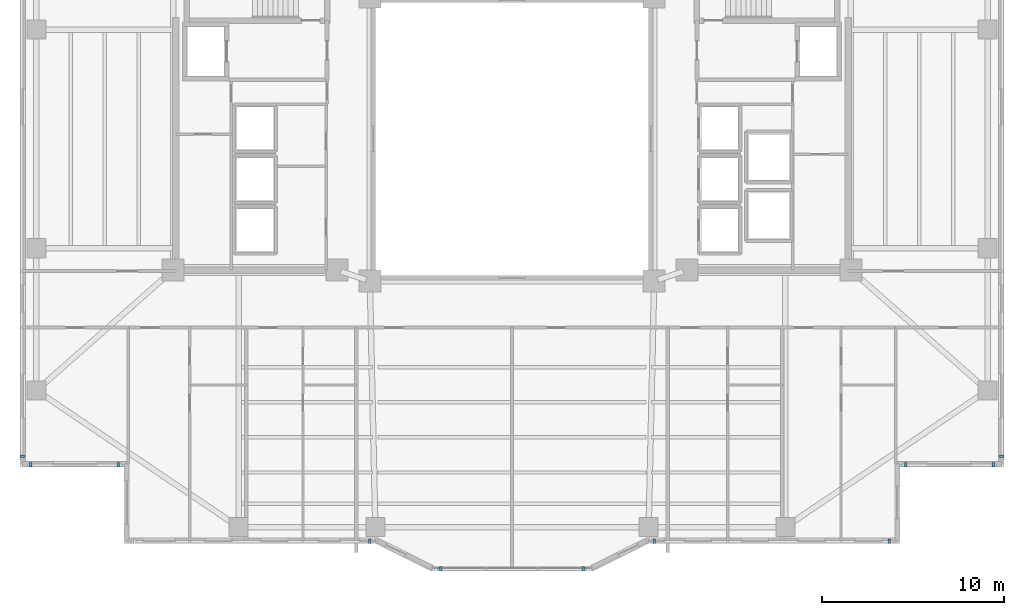
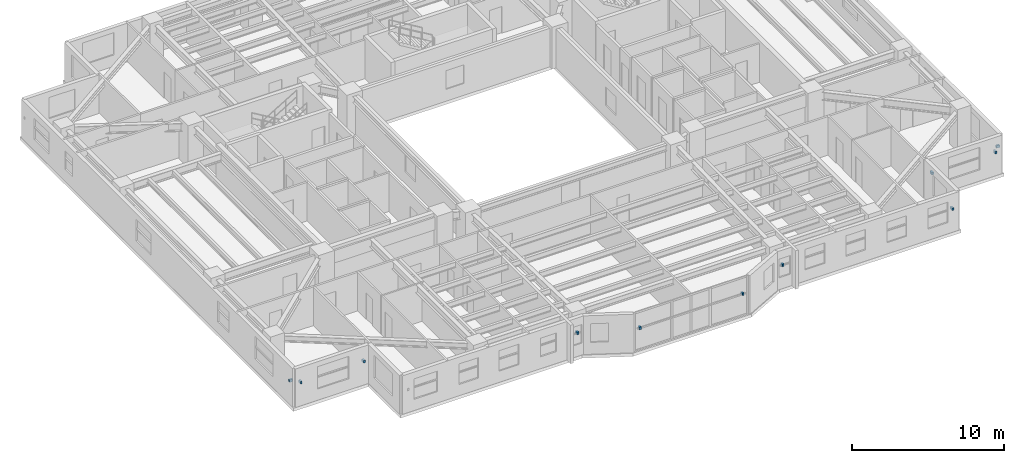
# One storey, part 12 of 18: 11 discrete accessories.
"""IFC4 building model written with IfcOpenShell, lengths in metres."""

from ifc_helpers import new_model, si_unit, direction, frame, origin, origin_2d, place, context, subcontext, project, spatial, rectangle, extrude, material, type_object, element, save


model = new_model("IFC4")

# Units and contexts
model_context = context("Model", 3, precision=1e-05, world=origin(), true_north=direction((0.0, 1.0)))
body_context = subcontext(model_context, "Body", "Model", "MODEL_VIEW")
ifc_project = project(units=[si_unit("LENGTHUNIT", "METRE"), si_unit("AREAUNIT", "SQUARE_METRE"), si_unit("VOLUMEUNIT", "CUBIC_METRE"), si_unit("PLANEANGLEUNIT", "RADIAN"), si_unit("MASSUNIT", "GRAM", prefix="KILO")], contexts=[model_context])

# Site, building, storey
site_placement = place(None, origin())
site = spatial("IfcSite", under=ifc_project, at=site_placement, CompositionType="ELEMENT")
building_placement = place(site_placement, origin())
building = spatial("IfcBuilding", under=site, at=building_placement, Name="Tarnavaz Court Tower", CompositionType="ELEMENT")
storey_placement = place(building_placement, frame((0.0, 0.0, 98.39990234375)))
storey = spatial("IfcBuildingStorey", under=building, at=storey_placement, Name="L26", CompositionType="ELEMENT", Elevation=98.39990234375)

# Discrete accessories
ifc_material = material(Name="Anodised Aluminium 6063-T6", Category="aluminium")
discrete_accessory_type = type_object("IfcDiscreteAccessoryType", Name="DA-BRKT-ALU", PredefinedType="BRACKET", material=ifc_material)
for number, where, z_axis, x_axis, name in (
    (1, (-21.60009765625, -17.8701171875, 1.75), (0.0, 0.0, 1.0), (-1.0, 0.0, 0.0), "L26 Baguette Outrigger Bracket FBG01-1"),
    (2, (-26.39990234375, -17.8701171875, 1.75), (0.0, 0.0, 1.0), (-1.0, 0.0, 0.0), "L26 Baguette Outrigger Bracket FBG01-2"),
    (3, (-26.8701171875, -17.39990234375, 1.75), (0.0, 0.0, 1.0), (0.0, 1.0, 0.0), "L26 Baguette Outrigger Bracket FBG02-1"),
    (4, (26.8701171875, -17.39990234375, 1.75), (0.0, 0.0, 1.0), (0.0, -1.0, 0.0), "L26 Baguette Outrigger Bracket FBG12-2"),
    (5, (26.39990234375, -17.8701171875, 1.75), (0.0, 0.0, 1.0), (-1.0, 0.0, 0.0), "L26 Baguette Outrigger Bracket FBG13-1"),
    (6, (21.60009765625, -17.8701171875, 1.75), (0.0, 0.0, 1.0), (-1.0, 0.0, 0.0), "L26 Baguette Outrigger Bracket FBG13-2"),
    (7, (20.699951171875, -22.070068359375, 1.75), (0.0, 0.0, 1.0), (-1.0, 0.0, 0.0), "L26 Baguette Outrigger Bracket FBG15-1"),
    (8, (7.800048828125, -22.070068359375, 1.75), (0.0, 0.0, 1.0), (-1.0, 0.0, 0.0), "L26 Baguette Outrigger Bracket FBG15-2"),
    (9, (3.89990234375, -23.570068359375, 1.7001953125), (0.0, 0.0, 1.0), (-1.0, 0.0, 0.0), "L26 Baguette Outrigger Bracket PBG17-1"),
    (10, (-3.89990234375, -23.570068359375, 1.7001953125), (0.0, 0.0, 1.0), (-1.0, 0.0, 0.0), "L26 Baguette Outrigger Bracket PBG17-2"),
    (11, (-7.800048828125, -22.070068359375, 1.75), (0.0, 0.0, 1.0), (-1.0, 0.0, 0.0), "L26 Baguette Outrigger Bracket FBG19-1"),
):
    element("IfcDiscreteAccessory", number, at=place(storey_placement, frame(where, z_axis=z_axis, x_axis=x_axis)), inside=storey, type_object=discrete_accessory_type, Name=name, PredefinedType="BRACKET", context=body_context, shape_type="SweptSolid", body=[
        extrude(rectangle(XDim=0.139892578125, YDim=0.239990234375, at=origin_2d()), origin(), (0.0, 0.0, 1.0), 0.199951171875),
    ])

save(model, "model.ifc")
